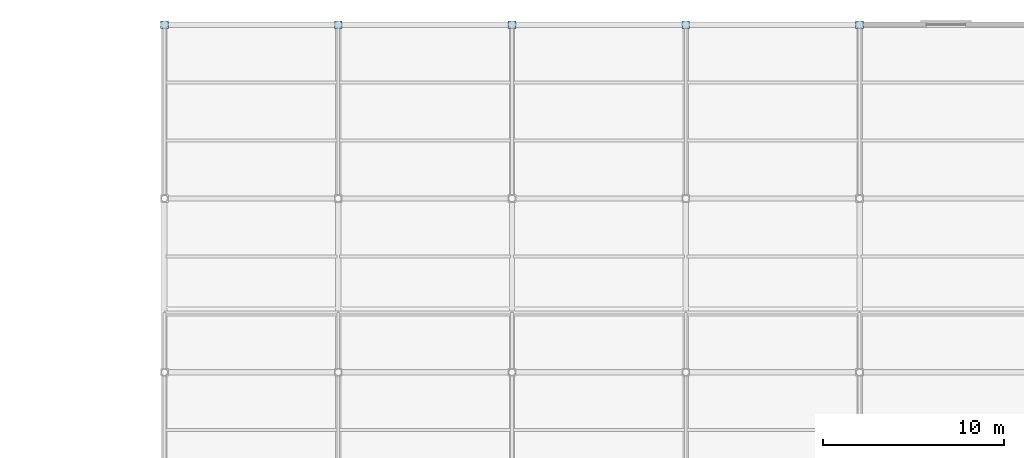
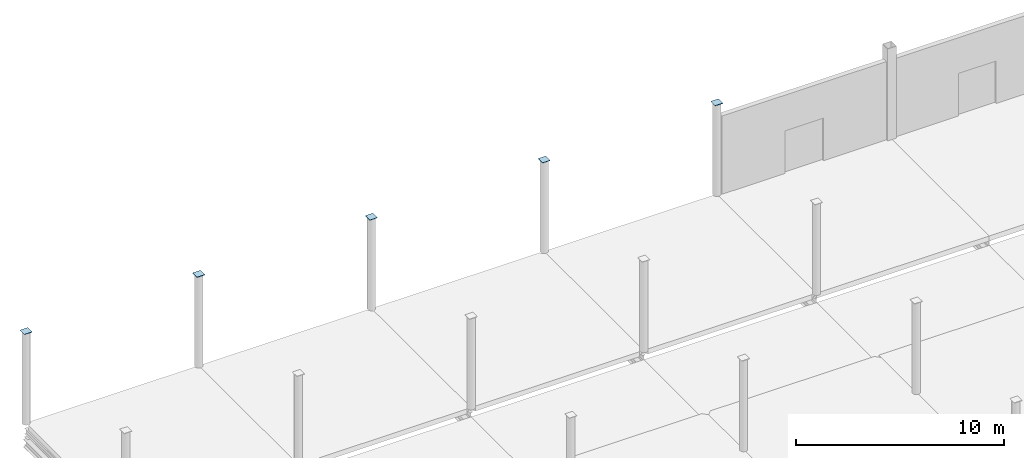
# One storey, part 63 of 85: 5 plates.
"""IFC4 building model written with IfcOpenShell, lengths in metres."""

from ifc_helpers import new_model, si_unit, direction, frame, origin, origin_2d, place, context, subcontext, project, spatial, rectangle, extrude, material, layer, layer_set, type_object, element, save


model = new_model("IFC4")

# Units and contexts
model_context = context("Model", 3, precision=1e-05, world=origin(), true_north=direction((0.0, 1.0)))
body_context = subcontext(model_context, "Body", "Model", "MODEL_VIEW")
ifc_project = project(units=[si_unit("LENGTHUNIT", "METRE"), si_unit("AREAUNIT", "SQUARE_METRE"), si_unit("VOLUMEUNIT", "CUBIC_METRE"), si_unit("PLANEANGLEUNIT", "RADIAN"), si_unit("MASSUNIT", "GRAM", prefix="KILO")], contexts=[model_context])

# Site, building, storey
site_placement = place(None, origin())
site = spatial("IfcSite", under=ifc_project, at=site_placement, CompositionType="ELEMENT")
building_placement = place(site_placement, origin())
building = spatial("IfcBuilding", under=site, at=building_placement, Name="Zarnetskaya Central Station", CompositionType="ELEMENT")
storey_placement = place(building_placement, origin())
storey = spatial("IfcBuildingStorey", under=building, at=storey_placement, Name="L00", CompositionType="ELEMENT", Elevation=0.0)

# Plates
ifc_material = material(Name="Steel S355", Category="steel")
ifc_layer = layer(ifc_material, 0.02392578125, Name="Steel S355", Category="steel")
ifc_layer_set = layer_set([ifc_layer], Name="Steel S355")
plate_type = type_object("IfcPlateType", Name="PL-COL-CAP-EXT", PredefinedType="USERDEFINED", material=ifc_layer_set)
for number, where, z_axis, x_axis, name in (
    (1, (9.60009765625, 124.800048828125, 5.3759765625), (0.0, 0.0, 1.0), (1.0, 0.0, 0.0), "Hollow column sealed end-cap plate 08"),
    (2, (19.199951171875, 124.800048828125, 5.3759765625), (0.0, 0.0, 1.0), (1.0, 0.0, 0.0), "Hollow column sealed end-cap plate 15"),
    (3, (28.800048828125, 124.800048828125, 5.3759765625), (0.0, 0.0, 1.0), (1.0, 0.0, 0.0), "Hollow column sealed end-cap plate 22"),
    (4, (38.39990234375, 124.800048828125, 5.3759765625), (0.0, 0.0, 1.0), (1.0, 0.0, 0.0), "Hollow column sealed end-cap plate 29"),
    (5, (48.0, 124.800048828125, 5.3759765625), (0.0, 0.0, 1.0), (1.0, 0.0, 0.0), "Hollow column sealed end-cap plate 36"),
):
    element("IfcPlate", number, at=place(storey_placement, frame(where, z_axis=z_axis, x_axis=x_axis)), inside=storey, type_object=plate_type, Name=name, ObjectType="END CAP PLATE", PredefinedType="USERDEFINED", context=body_context, shape_type="SweptSolid", body=[
        extrude(rectangle(XDim=0.426513671875, YDim=0.426513671875, at=origin_2d()), origin(), (0.0, 0.0, 1.0), 0.02392578125),
    ])

save(model, "model.ifc")
